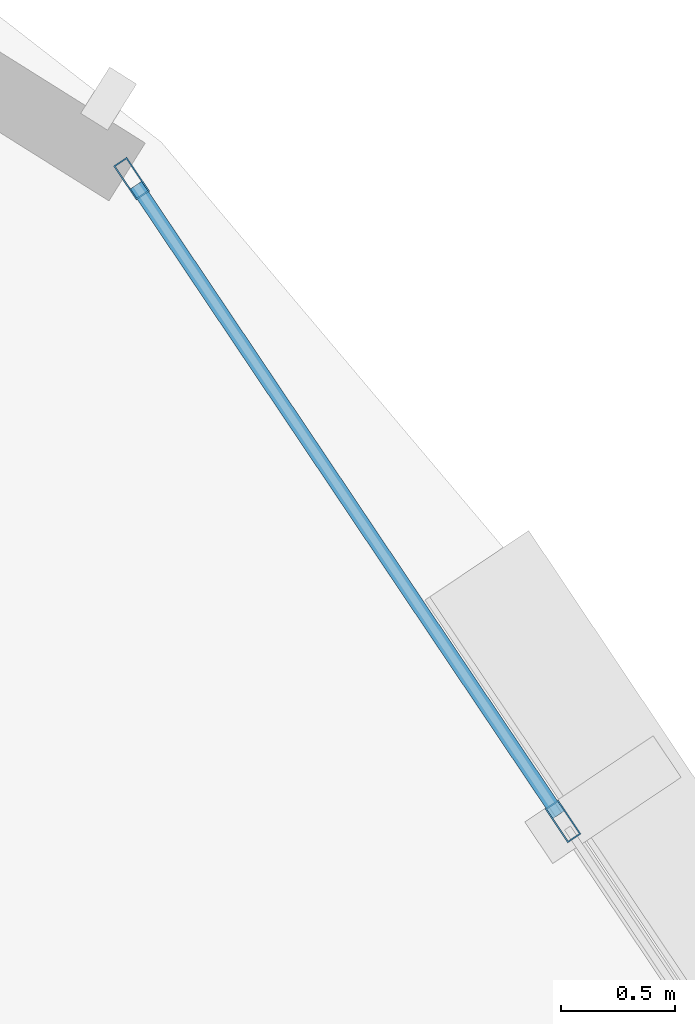
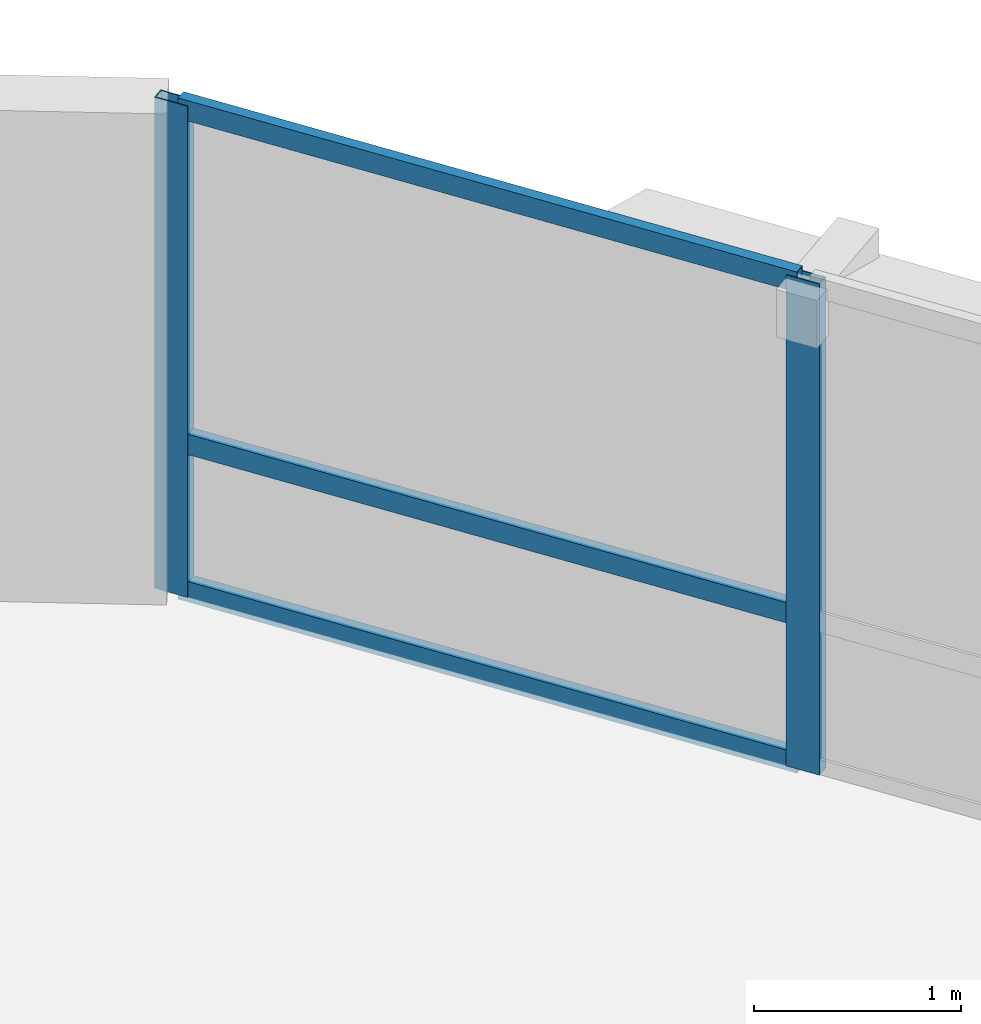
# One storey, part 8 of 15: 5 members, 1 element without a shape of its own.
"""IFC4 building model written with IfcOpenShell, lengths in metres."""

from ifc_helpers import new_model, si_unit, direction, frame, origin, origin_2d, place, context, subcontext, project, spatial, hollow_rectangle, extrude, material, layer, layer_set, material_profile, profile_set, type_object, element, aggregate, save


model = new_model("IFC4")

# Units and contexts
model_context = context("Model", 3, precision=1e-05, world=origin(), true_north=direction((0.0, 1.0)))
body_context = subcontext(model_context, "Body", "Model", "MODEL_VIEW")
ifc_project = project(units=[si_unit("LENGTHUNIT", "METRE"), si_unit("AREAUNIT", "SQUARE_METRE"), si_unit("VOLUMEUNIT", "CUBIC_METRE"), si_unit("PLANEANGLEUNIT", "RADIAN"), si_unit("MASSUNIT", "GRAM", prefix="KILO"), si_unit("THERMODYNAMICTEMPERATUREUNIT", "KELVIN"), si_unit("POWERUNIT", "WATT")], contexts=[model_context])

# Site, building, storey
site_placement = place(None, origin())
site = spatial("IfcSite", under=ifc_project, at=site_placement, CompositionType="ELEMENT")
building_placement = place(site_placement, origin())
building = spatial("IfcBuilding", under=site, at=building_placement, Name="Ocrelia Relay Tower", CompositionType="ELEMENT")
storey_placement = place(building_placement, frame((0.0, 0.0, 121.800048828125)))
storey = spatial("IfcBuildingStorey", under=building, at=storey_placement, Name="L28", CompositionType="ELEMENT", Elevation=121.800048828125)

# Curtain wall, members
ifc_material_1 = material(Name="Aluminium and solar-control low-E glass", Category="aluminium")
ifc_layer = layer(ifc_material_1, 0.179931640625, Name="Aluminium and solar-control low-E glass")
ifc_layer_set = layer_set([ifc_layer], Name="Aluminium and solar-control low-E glass")
curtain_wall_type = type_object("IfcCurtainWallType", Name="CW-SYS-Z2-SWIT", PredefinedType="NOTDEFINED", material=ifc_layer_set)
curtain_wall_placement = place(storey_placement, origin())
curtain_wall = element("IfcCurtainWall", 1, at=curtain_wall_placement, inside=storey, type_object=curtain_wall_type, Name="L28 Elliptical Tower Curtain Wall Bay 01", PredefinedType="NOTDEFINED")
ifc_material_2 = material(Name="Anodised bronze aluminium", Category="aluminium")
ifc_material_profile_1 = material_profile(ifc_material_2, hollow_rectangle(XDim=0.070068359375, YDim=0.179931640625, WallThickness=0.006103515625, at=origin_2d()), Name="CW-MUL-180x70")
ifc_profile_set_1 = profile_set([ifc_material_profile_1], Name="Anodised bronze aluminium")
member_type_1 = type_object("IfcMemberType", Name="CW-SYS-Z2-SWIT-MUL", PredefinedType="MULLION", material=ifc_profile_set_1)
member_1_placement = place(storey_placement, frame((55.998779296875, 37.98828125, 0.0), z_axis=(0.0, 0.0, 1.0), x_axis=(-0.830312998579, -0.5572973393, 0.0)))
member_1 = element("IfcMember", 2, at=member_1_placement, type_object=member_type_1, Name="CW-Z2 mullion 2", PredefinedType="MULLION", context=body_context, shape_type="SweptSolid", body=[
    extrude(hollow_rectangle(XDim=0.070068359375, YDim=0.179931640625, WallThickness=0.006103515625, at=origin_2d()), origin(), (0.0, 0.0, 1.0), 2.89990234375),
])
member_2_placement = place(storey_placement, frame((54.101318359375, 40.815185546875, 0.0), z_axis=(0.0, 0.0, 1.0), x_axis=(-0.830312998579, -0.5572973393, 0.0)))
member_2 = element("IfcMember", 3, at=member_2_placement, type_object=member_type_1, Name="CW-Z2 mullion 3", PredefinedType="MULLION", context=body_context, shape_type="SweptSolid", body=[
    extrude(hollow_rectangle(XDim=0.070068359375, YDim=0.179931640625, WallThickness=0.006103515625, at=origin_2d()), origin(), (0.0, 0.0, 1.0), 2.89990234375),
])
ifc_material_profile_2 = material_profile(ifc_material_2, hollow_rectangle(XDim=0.06005859375, YDim=0.1201171875, WallThickness=0.0048828125, at=origin_2d()), Name="CW-TRN-120x60")
ifc_profile_set_2 = profile_set([ifc_material_profile_2], Name="Anodised bronze aluminium")
member_type_2 = type_object("IfcMemberType", Name="CW-SYS-Z2-SWIT-TRN", PredefinedType="USERDEFINED", material=ifc_profile_set_2)
member_3_placement = place(storey_placement, frame((55.979248046875, 38.017578125, 0.030029296875), z_axis=(-0.557333250636, 0.830288894142, 0.0), x_axis=(-0.830288894142, -0.557333250636, 0.0)))
member_3 = element("IfcMember", 4, at=member_3_placement, type_object=member_type_2, Name="CW-Z2 transom 2.1", ObjectType="TRANSOM", PredefinedType="USERDEFINED", context=body_context, shape_type="SweptSolid", body=[
    extrude(hollow_rectangle(XDim=0.06005859375, YDim=0.1201171875, WallThickness=0.0048828125, at=origin_2d()), origin(), (0.0, 0.0, 1.0), 3.33447265625),
])
member_4_placement = place(storey_placement, frame((55.979248046875, 38.017578125, 0.89990234375), z_axis=(-0.557333250636, 0.830288894142, 0.0), x_axis=(-0.830288894142, -0.557333250636, 0.0)))
member_4 = element("IfcMember", 5, at=member_4_placement, type_object=member_type_2, Name="CW-Z2 transom 2.2", ObjectType="TRANSOM", PredefinedType="USERDEFINED", context=body_context, shape_type="SweptSolid", body=[
    extrude(hollow_rectangle(XDim=0.06005859375, YDim=0.1201171875, WallThickness=0.0048828125, at=origin_2d()), origin(), (0.0, 0.0, 1.0), 3.33447265625),
])
member_5_placement = place(storey_placement, frame((55.979248046875, 38.017578125, 2.869873046875), z_axis=(-0.557333250636, 0.830288894142, 0.0), x_axis=(-0.830288894142, -0.557333250636, 0.0)))
member_5 = element("IfcMember", 6, at=member_5_placement, type_object=member_type_2, Name="CW-Z2 transom 2.3", ObjectType="TRANSOM", PredefinedType="USERDEFINED", context=body_context, shape_type="SweptSolid", body=[
    extrude(hollow_rectangle(XDim=0.06005859375, YDim=0.1201171875, WallThickness=0.0048828125, at=origin_2d()), origin(), (0.0, 0.0, 1.0), 3.33447265625),
])
aggregate(curtain_wall, [member_1, member_2, member_3, member_4, member_5])

save(model, "model.ifc")
